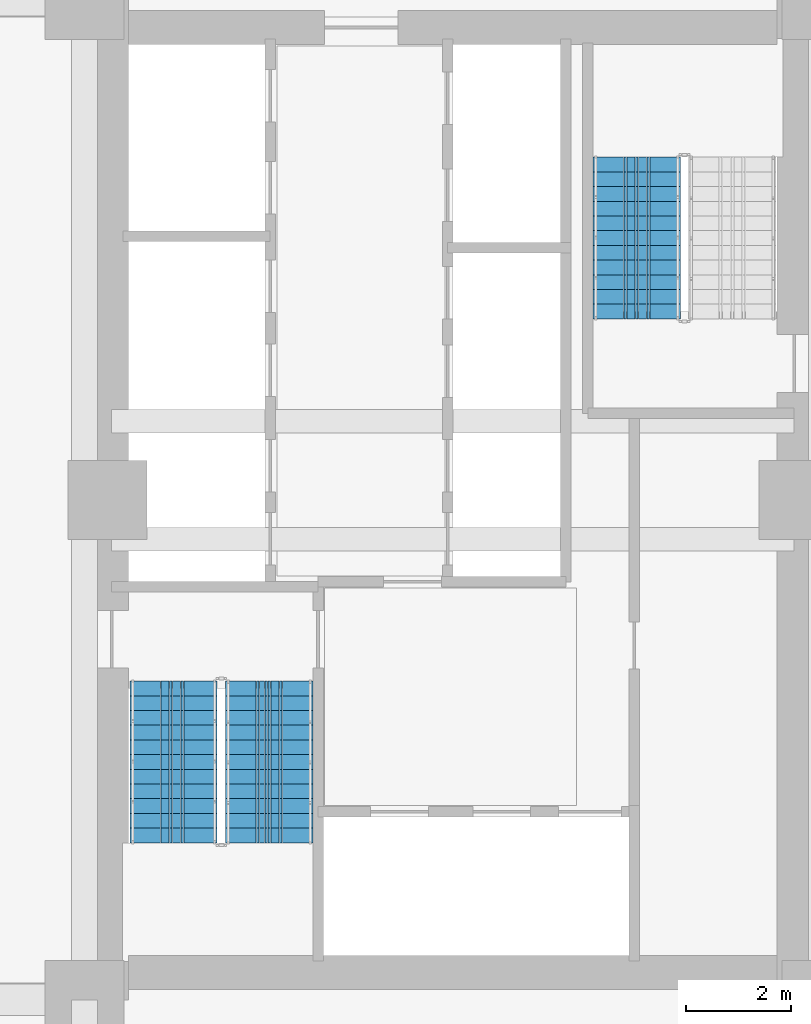
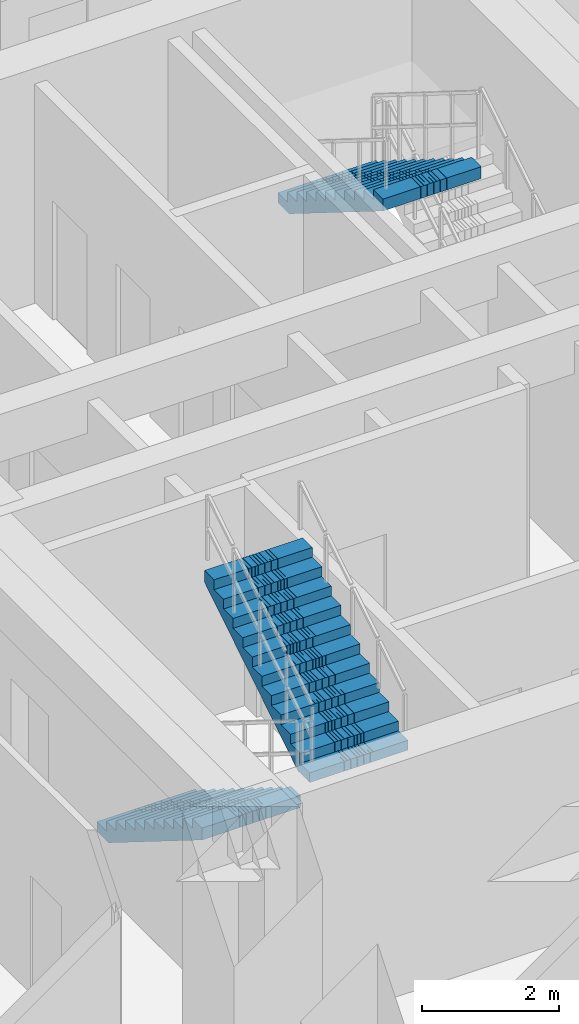
# One storey, part 17 of 24: 3 stair flights, 2 elements without a shape of their own.
"""IFC4 building model written with IfcOpenShell, lengths in metres."""

from ifc_helpers import new_model, si_unit, direction, frame, origin, place, context, subcontext, project, spatial, polyline, outline, extrude, material, type_object, element, aggregate, save


model = new_model("IFC4")

# Units and contexts
model_context = context("Model", 3, precision=1e-05, world=origin(), true_north=direction((0.0, 1.0)))
body_context = subcontext(model_context, "Body", "Model", "MODEL_VIEW")
ifc_project = project(units=[si_unit("LENGTHUNIT", "METRE"), si_unit("AREAUNIT", "SQUARE_METRE"), si_unit("VOLUMEUNIT", "CUBIC_METRE"), si_unit("PLANEANGLEUNIT", "RADIAN"), si_unit("MASSUNIT", "GRAM", prefix="KILO")], contexts=[model_context])

# Site, building, storey
site_placement = place(None, origin())
site = spatial("IfcSite", under=ifc_project, at=site_placement, CompositionType="ELEMENT")
building_placement = place(site_placement, origin())
building = spatial("IfcBuilding", under=site, at=building_placement, Name="Saelheon Loggia Tower", CompositionType="ELEMENT")
storey_placement = place(building_placement, origin())
storey = spatial("IfcBuildingStorey", under=building, at=storey_placement, Name="L00", CompositionType="ELEMENT", Elevation=0.0)

# Stair, stair flights
ifc_material = material(Name="Concrete C40/50", Category="concrete")
stair_type = type_object("IfcStairType", Name="Stair_Escape_Core", PredefinedType="HALF_TURN_STAIR", material=ifc_material)
stair_1_placement = place(storey_placement, origin())
stair_1 = element("IfcStair", 1, at=stair_1_placement, inside=storey, type_object=stair_type, Name="L00 Special Escape Stair ST1", PredefinedType="HALF_TURN_STAIR")
stair_flight_type = type_object("IfcStairFlightType", Name="StairFlight_Tower_1660", PredefinedType="STRAIGHT", material=ifc_material)
stair_flight_1_placement = place(storey_placement, frame((32.679931640625, 23.550048828125, 0.0), z_axis=(0.0, 0.0, 1.0), x_axis=(0.0, -1.0, 0.0)))
stair_flight_1 = element("IfcStairFlight", 2, at=stair_flight_1_placement, type_object=stair_flight_type, Name="ST1 flight 1", NumberOfRisers=12, NumberOfTreads=11, PredefinedType="STRAIGHT", RiserHeight=0.175, TreadLength=0.28, context=body_context, shape_type="SweptSolid", body=[
    extrude(outline(polyline([(0.0, 0.0), (0.0, 0.175048828125), (0.280029296875, 0.175048828125), (0.280029296875, 0.35009765625), (0.56005859375, 0.35009765625), (0.56005859375, 0.52490234375), (0.840087890625, 0.52490234375), (0.840087890625, 0.699951171875), (1.1201171875, 0.699951171875), (1.1201171875, 0.875), (1.39990234375, 0.875), (1.39990234375, 1.050048828125), (1.679931640625, 1.050048828125), (1.679931640625, 1.22509765625), (1.9599609375, 1.22509765625), (1.9599609375, 1.39990234375), (2.239990234375, 1.39990234375), (2.239990234375, 1.574951171875), (2.52001953125, 1.574951171875), (2.52001953125, 1.75), (2.800048828125, 1.75), (2.800048828125, 1.925048828125), (3.080078125, 1.925048828125), (3.080078125, 2.10009765625), (3.080078125, 1.712890625), (0.339599609375, 0.0), (0.0, 0.0)])), frame((0.0, -0.2490234375, 0.0), z_axis=(0.0, -1.0, 0.0), x_axis=(1.0, 0.0, 0.0)), (0.0, 0.0, 1.0), 0.5810546875),
    extrude(outline(polyline([(0.0, 0.0), (0.0, 0.175048828125), (0.280029296875, 0.175048828125), (0.280029296875, 0.35009765625), (0.56005859375, 0.35009765625), (0.56005859375, 0.52490234375), (0.840087890625, 0.52490234375), (0.840087890625, 0.699951171875), (1.1201171875, 0.699951171875), (1.1201171875, 0.875), (1.39990234375, 0.875), (1.39990234375, 1.050048828125), (1.679931640625, 1.050048828125), (1.679931640625, 1.22509765625), (1.9599609375, 1.22509765625), (1.9599609375, 1.39990234375), (2.239990234375, 1.39990234375), (2.239990234375, 1.574951171875), (2.52001953125, 1.574951171875), (2.52001953125, 1.75), (2.800048828125, 1.75), (2.800048828125, 1.925048828125), (3.080078125, 1.925048828125), (3.080078125, 2.10009765625), (3.080078125, 1.712890625), (0.339599609375, 0.0), (0.0, 0.0)])), frame((0.0, -0.194091796875, 0.0), z_axis=(0.0, -1.0, 0.0), x_axis=(1.0, 0.0, 0.0)), (0.0, 0.0, 1.0), 0.0498046875),
    extrude(outline(polyline([(0.0, 0.0), (0.0, 0.175048828125), (0.280029296875, 0.175048828125), (0.280029296875, 0.35009765625), (0.56005859375, 0.35009765625), (0.56005859375, 0.52490234375), (0.840087890625, 0.52490234375), (0.840087890625, 0.699951171875), (1.1201171875, 0.699951171875), (1.1201171875, 0.875), (1.39990234375, 0.875), (1.39990234375, 1.050048828125), (1.679931640625, 1.050048828125), (1.679931640625, 1.22509765625), (1.9599609375, 1.22509765625), (1.9599609375, 1.39990234375), (2.239990234375, 1.39990234375), (2.239990234375, 1.574951171875), (2.52001953125, 1.574951171875), (2.52001953125, 1.75), (2.800048828125, 1.75), (2.800048828125, 1.925048828125), (3.080078125, 1.925048828125), (3.080078125, 2.10009765625), (3.080078125, 1.712890625), (0.339599609375, 0.0), (0.0, 0.0)])), frame((0.0, -0.139404296875, 0.0), z_axis=(0.0, -1.0, 0.0), x_axis=(1.0, 0.0, 0.0)), (0.0, 0.0, 1.0), 0.0498046875),
    extrude(outline(polyline([(0.0, 0.0), (0.0, 0.175048828125), (0.280029296875, 0.175048828125), (0.280029296875, 0.35009765625), (0.56005859375, 0.35009765625), (0.56005859375, 0.52490234375), (0.840087890625, 0.52490234375), (0.840087890625, 0.699951171875), (1.1201171875, 0.699951171875), (1.1201171875, 0.875), (1.39990234375, 0.875), (1.39990234375, 1.050048828125), (1.679931640625, 1.050048828125), (1.679931640625, 1.22509765625), (1.9599609375, 1.22509765625), (1.9599609375, 1.39990234375), (2.239990234375, 1.39990234375), (2.239990234375, 1.574951171875), (2.52001953125, 1.574951171875), (2.52001953125, 1.75), (2.800048828125, 1.75), (2.800048828125, 1.925048828125), (3.080078125, 1.925048828125), (3.080078125, 2.10009765625), (3.080078125, 1.712890625), (0.339599609375, 0.0), (0.0, 0.0)])), frame((0.0, -0.084716796875, 0.0), z_axis=(0.0, -1.0, 0.0), x_axis=(1.0, 0.0, 0.0)), (0.0, 0.0, 1.0), 0.0498046875),
    extrude(outline(polyline([(0.0, 0.0), (0.0, 0.175048828125), (0.280029296875, 0.175048828125), (0.280029296875, 0.35009765625), (0.56005859375, 0.35009765625), (0.56005859375, 0.52490234375), (0.840087890625, 0.52490234375), (0.840087890625, 0.699951171875), (1.1201171875, 0.699951171875), (1.1201171875, 0.875), (1.39990234375, 0.875), (1.39990234375, 1.050048828125), (1.679931640625, 1.050048828125), (1.679931640625, 1.22509765625), (1.9599609375, 1.22509765625), (1.9599609375, 1.39990234375), (2.239990234375, 1.39990234375), (2.239990234375, 1.574951171875), (2.52001953125, 1.574951171875), (2.52001953125, 1.75), (2.800048828125, 1.75), (2.800048828125, 1.925048828125), (3.080078125, 1.925048828125), (3.080078125, 2.10009765625), (3.080078125, 1.712890625), (0.339599609375, 0.0), (0.0, 0.0)])), frame((0.0, -0.02978515625, 0.0), z_axis=(0.0, -1.0, 0.0), x_axis=(1.0, 0.0, 0.0)), (0.0, 0.0, 1.0), 0.0498046875),
    extrude(outline(polyline([(0.0, 0.0), (0.0, 0.175048828125), (0.280029296875, 0.175048828125), (0.280029296875, 0.35009765625), (0.56005859375, 0.35009765625), (0.56005859375, 0.52490234375), (0.840087890625, 0.52490234375), (0.840087890625, 0.699951171875), (1.1201171875, 0.699951171875), (1.1201171875, 0.875), (1.39990234375, 0.875), (1.39990234375, 1.050048828125), (1.679931640625, 1.050048828125), (1.679931640625, 1.22509765625), (1.9599609375, 1.22509765625), (1.9599609375, 1.39990234375), (2.239990234375, 1.39990234375), (2.239990234375, 1.574951171875), (2.52001953125, 1.574951171875), (2.52001953125, 1.75), (2.800048828125, 1.75), (2.800048828125, 1.925048828125), (3.080078125, 1.925048828125), (3.080078125, 2.10009765625), (3.080078125, 1.712890625), (0.339599609375, 0.0), (0.0, 0.0)])), frame((0.0, 0.02490234375, 0.0), z_axis=(0.0, -1.0, 0.0), x_axis=(1.0, 0.0, 0.0)), (0.0, 0.0, 1.0), 0.0498046875),
    extrude(outline(polyline([(0.0, 0.0), (0.0, 0.175048828125), (0.280029296875, 0.175048828125), (0.280029296875, 0.35009765625), (0.56005859375, 0.35009765625), (0.56005859375, 0.52490234375), (0.840087890625, 0.52490234375), (0.840087890625, 0.699951171875), (1.1201171875, 0.699951171875), (1.1201171875, 0.875), (1.39990234375, 0.875), (1.39990234375, 1.050048828125), (1.679931640625, 1.050048828125), (1.679931640625, 1.22509765625), (1.9599609375, 1.22509765625), (1.9599609375, 1.39990234375), (2.239990234375, 1.39990234375), (2.239990234375, 1.574951171875), (2.52001953125, 1.574951171875), (2.52001953125, 1.75), (2.800048828125, 1.75), (2.800048828125, 1.925048828125), (3.080078125, 1.925048828125), (3.080078125, 2.10009765625), (3.080078125, 1.712890625), (0.339599609375, 0.0), (0.0, 0.0)])), frame((0.0, 0.07958984375, 0.0), z_axis=(0.0, -1.0, 0.0), x_axis=(1.0, 0.0, 0.0)), (0.0, 0.0, 1.0), 0.0498046875),
    extrude(outline(polyline([(0.0, 0.0), (0.0, 0.175048828125), (0.280029296875, 0.175048828125), (0.280029296875, 0.35009765625), (0.56005859375, 0.35009765625), (0.56005859375, 0.52490234375), (0.840087890625, 0.52490234375), (0.840087890625, 0.699951171875), (1.1201171875, 0.699951171875), (1.1201171875, 0.875), (1.39990234375, 0.875), (1.39990234375, 1.050048828125), (1.679931640625, 1.050048828125), (1.679931640625, 1.22509765625), (1.9599609375, 1.22509765625), (1.9599609375, 1.39990234375), (2.239990234375, 1.39990234375), (2.239990234375, 1.574951171875), (2.52001953125, 1.574951171875), (2.52001953125, 1.75), (2.800048828125, 1.75), (2.800048828125, 1.925048828125), (3.080078125, 1.925048828125), (3.080078125, 2.10009765625), (3.080078125, 1.712890625), (0.339599609375, 0.0), (0.0, 0.0)])), frame((0.0, 0.134521484375, 0.0), z_axis=(0.0, -1.0, 0.0), x_axis=(1.0, 0.0, 0.0)), (0.0, 0.0, 1.0), 0.0498046875),
    extrude(outline(polyline([(0.0, 0.0), (0.0, 0.175048828125), (0.280029296875, 0.175048828125), (0.280029296875, 0.35009765625), (0.56005859375, 0.35009765625), (0.56005859375, 0.52490234375), (0.840087890625, 0.52490234375), (0.840087890625, 0.699951171875), (1.1201171875, 0.699951171875), (1.1201171875, 0.875), (1.39990234375, 0.875), (1.39990234375, 1.050048828125), (1.679931640625, 1.050048828125), (1.679931640625, 1.22509765625), (1.9599609375, 1.22509765625), (1.9599609375, 1.39990234375), (2.239990234375, 1.39990234375), (2.239990234375, 1.574951171875), (2.52001953125, 1.574951171875), (2.52001953125, 1.75), (2.800048828125, 1.75), (2.800048828125, 1.925048828125), (3.080078125, 1.925048828125), (3.080078125, 2.10009765625), (3.080078125, 1.712890625), (0.339599609375, 0.0), (0.0, 0.0)])), frame((0.0, 0.189208984375, 0.0), z_axis=(0.0, -1.0, 0.0), x_axis=(1.0, 0.0, 0.0)), (0.0, 0.0, 1.0), 0.0498046875),
    extrude(outline(polyline([(0.0, 0.0), (0.0, 0.175048828125), (0.280029296875, 0.175048828125), (0.280029296875, 0.35009765625), (0.56005859375, 0.35009765625), (0.56005859375, 0.52490234375), (0.840087890625, 0.52490234375), (0.840087890625, 0.699951171875), (1.1201171875, 0.699951171875), (1.1201171875, 0.875), (1.39990234375, 0.875), (1.39990234375, 1.050048828125), (1.679931640625, 1.050048828125), (1.679931640625, 1.22509765625), (1.9599609375, 1.22509765625), (1.9599609375, 1.39990234375), (2.239990234375, 1.39990234375), (2.239990234375, 1.574951171875), (2.52001953125, 1.574951171875), (2.52001953125, 1.75), (2.800048828125, 1.75), (2.800048828125, 1.925048828125), (3.080078125, 1.925048828125), (3.080078125, 2.10009765625), (3.080078125, 1.712890625), (0.339599609375, 0.0), (0.0, 0.0)])), frame((0.0, 0.243896484375, 0.0), z_axis=(0.0, -1.0, 0.0), x_axis=(1.0, 0.0, 0.0)), (0.0, 0.0, 1.0), 0.0498046875),
    extrude(outline(polyline([(0.0, 0.0), (0.0, 0.175048828125), (0.280029296875, 0.175048828125), (0.280029296875, 0.35009765625), (0.56005859375, 0.35009765625), (0.56005859375, 0.52490234375), (0.840087890625, 0.52490234375), (0.840087890625, 0.699951171875), (1.1201171875, 0.699951171875), (1.1201171875, 0.875), (1.39990234375, 0.875), (1.39990234375, 1.050048828125), (1.679931640625, 1.050048828125), (1.679931640625, 1.22509765625), (1.9599609375, 1.22509765625), (1.9599609375, 1.39990234375), (2.239990234375, 1.39990234375), (2.239990234375, 1.574951171875), (2.52001953125, 1.574951171875), (2.52001953125, 1.75), (2.800048828125, 1.75), (2.800048828125, 1.925048828125), (3.080078125, 1.925048828125), (3.080078125, 2.10009765625), (3.080078125, 1.712890625), (0.339599609375, 0.0), (0.0, 0.0)])), frame((0.0, 0.830078125, 0.0), z_axis=(0.0, -1.0, 0.0), x_axis=(1.0, 0.0, 0.0)), (0.0, 0.0, 1.0), 0.5810546875),
])
stair_flight_2_placement = place(storey_placement, frame((34.5, 20.469970703125, 2.10009765625), z_axis=(0.0, 0.0, 1.0), x_axis=(0.0, 1.0, 0.0)))
stair_flight_2 = element("IfcStairFlight", 3, at=stair_flight_2_placement, type_object=stair_flight_type, Name="ST1 flight 2", NumberOfRisers=12, NumberOfTreads=11, PredefinedType="STRAIGHT", RiserHeight=0.175, TreadLength=0.28, context=body_context, shape_type="SweptSolid", body=[
    extrude(outline(polyline([(0.0, 0.0), (0.0, 0.175048828125), (0.280029296875, 0.175048828125), (0.280029296875, 0.35009765625), (0.56005859375, 0.35009765625), (0.56005859375, 0.52490234375), (0.840087890625, 0.52490234375), (0.840087890625, 0.699951171875), (1.1201171875, 0.699951171875), (1.1201171875, 0.875), (1.39990234375, 0.875), (1.39990234375, 1.050048828125), (1.679931640625, 1.050048828125), (1.679931640625, 1.22509765625), (1.9599609375, 1.22509765625), (1.9599609375, 1.39990234375), (2.239990234375, 1.39990234375), (2.239990234375, 1.574951171875), (2.52001953125, 1.574951171875), (2.52001953125, 1.75), (2.800048828125, 1.75), (2.800048828125, 1.925048828125), (3.080078125, 1.925048828125), (3.080078125, 2.10009765625), (3.080078125, 1.712890625), (0.339599609375, 0.0), (0.0, 0.0)])), frame((0.0, -0.2490234375, 0.0), z_axis=(0.0, -1.0, 0.0), x_axis=(1.0, 0.0, 0.0)), (0.0, 0.0, 1.0), 0.5810546875),
    extrude(outline(polyline([(0.0, 0.0), (0.0, 0.175048828125), (0.280029296875, 0.175048828125), (0.280029296875, 0.35009765625), (0.56005859375, 0.35009765625), (0.56005859375, 0.52490234375), (0.840087890625, 0.52490234375), (0.840087890625, 0.699951171875), (1.1201171875, 0.699951171875), (1.1201171875, 0.875), (1.39990234375, 0.875), (1.39990234375, 1.050048828125), (1.679931640625, 1.050048828125), (1.679931640625, 1.22509765625), (1.9599609375, 1.22509765625), (1.9599609375, 1.39990234375), (2.239990234375, 1.39990234375), (2.239990234375, 1.574951171875), (2.52001953125, 1.574951171875), (2.52001953125, 1.75), (2.800048828125, 1.75), (2.800048828125, 1.925048828125), (3.080078125, 1.925048828125), (3.080078125, 2.10009765625), (3.080078125, 1.712890625), (0.339599609375, 0.0), (0.0, 0.0)])), frame((0.0, -0.194091796875, 0.0), z_axis=(0.0, -1.0, 0.0), x_axis=(1.0, 0.0, 0.0)), (0.0, 0.0, 1.0), 0.0498046875),
    extrude(outline(polyline([(0.0, 0.0), (0.0, 0.175048828125), (0.280029296875, 0.175048828125), (0.280029296875, 0.35009765625), (0.56005859375, 0.35009765625), (0.56005859375, 0.52490234375), (0.840087890625, 0.52490234375), (0.840087890625, 0.699951171875), (1.1201171875, 0.699951171875), (1.1201171875, 0.875), (1.39990234375, 0.875), (1.39990234375, 1.050048828125), (1.679931640625, 1.050048828125), (1.679931640625, 1.22509765625), (1.9599609375, 1.22509765625), (1.9599609375, 1.39990234375), (2.239990234375, 1.39990234375), (2.239990234375, 1.574951171875), (2.52001953125, 1.574951171875), (2.52001953125, 1.75), (2.800048828125, 1.75), (2.800048828125, 1.925048828125), (3.080078125, 1.925048828125), (3.080078125, 2.10009765625), (3.080078125, 1.712890625), (0.339599609375, 0.0), (0.0, 0.0)])), frame((0.0, -0.139404296875, 0.0), z_axis=(0.0, -1.0, 0.0), x_axis=(1.0, 0.0, 0.0)), (0.0, 0.0, 1.0), 0.0498046875),
    extrude(outline(polyline([(0.0, 0.0), (0.0, 0.175048828125), (0.280029296875, 0.175048828125), (0.280029296875, 0.35009765625), (0.56005859375, 0.35009765625), (0.56005859375, 0.52490234375), (0.840087890625, 0.52490234375), (0.840087890625, 0.699951171875), (1.1201171875, 0.699951171875), (1.1201171875, 0.875), (1.39990234375, 0.875), (1.39990234375, 1.050048828125), (1.679931640625, 1.050048828125), (1.679931640625, 1.22509765625), (1.9599609375, 1.22509765625), (1.9599609375, 1.39990234375), (2.239990234375, 1.39990234375), (2.239990234375, 1.574951171875), (2.52001953125, 1.574951171875), (2.52001953125, 1.75), (2.800048828125, 1.75), (2.800048828125, 1.925048828125), (3.080078125, 1.925048828125), (3.080078125, 2.10009765625), (3.080078125, 1.712890625), (0.339599609375, 0.0), (0.0, 0.0)])), frame((0.0, -0.084716796875, 0.0), z_axis=(0.0, -1.0, 0.0), x_axis=(1.0, 0.0, 0.0)), (0.0, 0.0, 1.0), 0.0498046875),
    extrude(outline(polyline([(0.0, 0.0), (0.0, 0.175048828125), (0.280029296875, 0.175048828125), (0.280029296875, 0.35009765625), (0.56005859375, 0.35009765625), (0.56005859375, 0.52490234375), (0.840087890625, 0.52490234375), (0.840087890625, 0.699951171875), (1.1201171875, 0.699951171875), (1.1201171875, 0.875), (1.39990234375, 0.875), (1.39990234375, 1.050048828125), (1.679931640625, 1.050048828125), (1.679931640625, 1.22509765625), (1.9599609375, 1.22509765625), (1.9599609375, 1.39990234375), (2.239990234375, 1.39990234375), (2.239990234375, 1.574951171875), (2.52001953125, 1.574951171875), (2.52001953125, 1.75), (2.800048828125, 1.75), (2.800048828125, 1.925048828125), (3.080078125, 1.925048828125), (3.080078125, 2.10009765625), (3.080078125, 1.712890625), (0.339599609375, 0.0), (0.0, 0.0)])), frame((0.0, -0.02978515625, 0.0), z_axis=(0.0, -1.0, 0.0), x_axis=(1.0, 0.0, 0.0)), (0.0, 0.0, 1.0), 0.0498046875),
    extrude(outline(polyline([(0.0, 0.0), (0.0, 0.175048828125), (0.280029296875, 0.175048828125), (0.280029296875, 0.35009765625), (0.56005859375, 0.35009765625), (0.56005859375, 0.52490234375), (0.840087890625, 0.52490234375), (0.840087890625, 0.699951171875), (1.1201171875, 0.699951171875), (1.1201171875, 0.875), (1.39990234375, 0.875), (1.39990234375, 1.050048828125), (1.679931640625, 1.050048828125), (1.679931640625, 1.22509765625), (1.9599609375, 1.22509765625), (1.9599609375, 1.39990234375), (2.239990234375, 1.39990234375), (2.239990234375, 1.574951171875), (2.52001953125, 1.574951171875), (2.52001953125, 1.75), (2.800048828125, 1.75), (2.800048828125, 1.925048828125), (3.080078125, 1.925048828125), (3.080078125, 2.10009765625), (3.080078125, 1.712890625), (0.339599609375, 0.0), (0.0, 0.0)])), frame((0.0, 0.02490234375, 0.0), z_axis=(0.0, -1.0, 0.0), x_axis=(1.0, 0.0, 0.0)), (0.0, 0.0, 1.0), 0.0498046875),
    extrude(outline(polyline([(0.0, 0.0), (0.0, 0.175048828125), (0.280029296875, 0.175048828125), (0.280029296875, 0.35009765625), (0.56005859375, 0.35009765625), (0.56005859375, 0.52490234375), (0.840087890625, 0.52490234375), (0.840087890625, 0.699951171875), (1.1201171875, 0.699951171875), (1.1201171875, 0.875), (1.39990234375, 0.875), (1.39990234375, 1.050048828125), (1.679931640625, 1.050048828125), (1.679931640625, 1.22509765625), (1.9599609375, 1.22509765625), (1.9599609375, 1.39990234375), (2.239990234375, 1.39990234375), (2.239990234375, 1.574951171875), (2.52001953125, 1.574951171875), (2.52001953125, 1.75), (2.800048828125, 1.75), (2.800048828125, 1.925048828125), (3.080078125, 1.925048828125), (3.080078125, 2.10009765625), (3.080078125, 1.712890625), (0.339599609375, 0.0), (0.0, 0.0)])), frame((0.0, 0.07958984375, 0.0), z_axis=(0.0, -1.0, 0.0), x_axis=(1.0, 0.0, 0.0)), (0.0, 0.0, 1.0), 0.0498046875),
    extrude(outline(polyline([(0.0, 0.0), (0.0, 0.175048828125), (0.280029296875, 0.175048828125), (0.280029296875, 0.35009765625), (0.56005859375, 0.35009765625), (0.56005859375, 0.52490234375), (0.840087890625, 0.52490234375), (0.840087890625, 0.699951171875), (1.1201171875, 0.699951171875), (1.1201171875, 0.875), (1.39990234375, 0.875), (1.39990234375, 1.050048828125), (1.679931640625, 1.050048828125), (1.679931640625, 1.22509765625), (1.9599609375, 1.22509765625), (1.9599609375, 1.39990234375), (2.239990234375, 1.39990234375), (2.239990234375, 1.574951171875), (2.52001953125, 1.574951171875), (2.52001953125, 1.75), (2.800048828125, 1.75), (2.800048828125, 1.925048828125), (3.080078125, 1.925048828125), (3.080078125, 2.10009765625), (3.080078125, 1.712890625), (0.339599609375, 0.0), (0.0, 0.0)])), frame((0.0, 0.134521484375, 0.0), z_axis=(0.0, -1.0, 0.0), x_axis=(1.0, 0.0, 0.0)), (0.0, 0.0, 1.0), 0.0498046875),
    extrude(outline(polyline([(0.0, 0.0), (0.0, 0.175048828125), (0.280029296875, 0.175048828125), (0.280029296875, 0.35009765625), (0.56005859375, 0.35009765625), (0.56005859375, 0.52490234375), (0.840087890625, 0.52490234375), (0.840087890625, 0.699951171875), (1.1201171875, 0.699951171875), (1.1201171875, 0.875), (1.39990234375, 0.875), (1.39990234375, 1.050048828125), (1.679931640625, 1.050048828125), (1.679931640625, 1.22509765625), (1.9599609375, 1.22509765625), (1.9599609375, 1.39990234375), (2.239990234375, 1.39990234375), (2.239990234375, 1.574951171875), (2.52001953125, 1.574951171875), (2.52001953125, 1.75), (2.800048828125, 1.75), (2.800048828125, 1.925048828125), (3.080078125, 1.925048828125), (3.080078125, 2.10009765625), (3.080078125, 1.712890625), (0.339599609375, 0.0), (0.0, 0.0)])), frame((0.0, 0.189208984375, 0.0), z_axis=(0.0, -1.0, 0.0), x_axis=(1.0, 0.0, 0.0)), (0.0, 0.0, 1.0), 0.0498046875),
    extrude(outline(polyline([(0.0, 0.0), (0.0, 0.175048828125), (0.280029296875, 0.175048828125), (0.280029296875, 0.35009765625), (0.56005859375, 0.35009765625), (0.56005859375, 0.52490234375), (0.840087890625, 0.52490234375), (0.840087890625, 0.699951171875), (1.1201171875, 0.699951171875), (1.1201171875, 0.875), (1.39990234375, 0.875), (1.39990234375, 1.050048828125), (1.679931640625, 1.050048828125), (1.679931640625, 1.22509765625), (1.9599609375, 1.22509765625), (1.9599609375, 1.39990234375), (2.239990234375, 1.39990234375), (2.239990234375, 1.574951171875), (2.52001953125, 1.574951171875), (2.52001953125, 1.75), (2.800048828125, 1.75), (2.800048828125, 1.925048828125), (3.080078125, 1.925048828125), (3.080078125, 2.10009765625), (3.080078125, 1.712890625), (0.339599609375, 0.0), (0.0, 0.0)])), frame((0.0, 0.243896484375, 0.0), z_axis=(0.0, -1.0, 0.0), x_axis=(1.0, 0.0, 0.0)), (0.0, 0.0, 1.0), 0.0498046875),
    extrude(outline(polyline([(0.0, 0.0), (0.0, 0.175048828125), (0.280029296875, 0.175048828125), (0.280029296875, 0.35009765625), (0.56005859375, 0.35009765625), (0.56005859375, 0.52490234375), (0.840087890625, 0.52490234375), (0.840087890625, 0.699951171875), (1.1201171875, 0.699951171875), (1.1201171875, 0.875), (1.39990234375, 0.875), (1.39990234375, 1.050048828125), (1.679931640625, 1.050048828125), (1.679931640625, 1.22509765625), (1.9599609375, 1.22509765625), (1.9599609375, 1.39990234375), (2.239990234375, 1.39990234375), (2.239990234375, 1.574951171875), (2.52001953125, 1.574951171875), (2.52001953125, 1.75), (2.800048828125, 1.75), (2.800048828125, 1.925048828125), (3.080078125, 1.925048828125), (3.080078125, 2.10009765625), (3.080078125, 1.712890625), (0.339599609375, 0.0), (0.0, 0.0)])), frame((0.0, 0.830078125, 0.0), z_axis=(0.0, -1.0, 0.0), x_axis=(1.0, 0.0, 0.0)), (0.0, 0.0, 1.0), 0.5810546875),
])
aggregate(stair_1, [stair_flight_1, stair_flight_2])

# Stair, stair flight
stair_2_placement = place(storey_placement, origin())
stair_2 = element("IfcStair", 4, at=stair_2_placement, inside=storey, type_object=stair_type, Name="L00 Special Escape Stair ST2", PredefinedType="HALF_TURN_STAIR")
stair_flight_3_placement = place(storey_placement, frame((41.5, 33.530029296875, 2.10009765625), z_axis=(0.0, 0.0, 1.0), x_axis=(0.0, -1.0, 0.0)))
stair_flight_3 = element("IfcStairFlight", 5, at=stair_flight_3_placement, type_object=stair_flight_type, Name="ST2 flight 2", NumberOfRisers=12, NumberOfTreads=11, PredefinedType="STRAIGHT", RiserHeight=0.175, TreadLength=0.28, context=body_context, shape_type="SweptSolid", body=[
    extrude(outline(polyline([(0.0, 0.0), (0.0, 0.175048828125), (0.280029296875, 0.175048828125), (0.280029296875, 0.35009765625), (0.56005859375, 0.35009765625), (0.56005859375, 0.52490234375), (0.840087890625, 0.52490234375), (0.840087890625, 0.699951171875), (1.1201171875, 0.699951171875), (1.1201171875, 0.875), (1.39990234375, 0.875), (1.39990234375, 1.050048828125), (1.679931640625, 1.050048828125), (1.679931640625, 1.22509765625), (1.9599609375, 1.22509765625), (1.9599609375, 1.39990234375), (2.239990234375, 1.39990234375), (2.239990234375, 1.574951171875), (2.52001953125, 1.574951171875), (2.52001953125, 1.75), (2.800048828125, 1.75), (2.800048828125, 1.925048828125), (3.080078125, 1.925048828125), (3.080078125, 2.10009765625), (3.080078125, 1.712890625), (0.339599609375, 0.0), (0.0, 0.0)])), frame((0.0, -0.2490234375, 0.0), z_axis=(0.0, -1.0, 0.0), x_axis=(1.0, 0.0, 0.0)), (0.0, 0.0, 1.0), 0.5810546875),
    extrude(outline(polyline([(0.0, 0.0), (0.0, 0.175048828125), (0.280029296875, 0.175048828125), (0.280029296875, 0.35009765625), (0.56005859375, 0.35009765625), (0.56005859375, 0.52490234375), (0.840087890625, 0.52490234375), (0.840087890625, 0.699951171875), (1.1201171875, 0.699951171875), (1.1201171875, 0.875), (1.39990234375, 0.875), (1.39990234375, 1.050048828125), (1.679931640625, 1.050048828125), (1.679931640625, 1.22509765625), (1.9599609375, 1.22509765625), (1.9599609375, 1.39990234375), (2.239990234375, 1.39990234375), (2.239990234375, 1.574951171875), (2.52001953125, 1.574951171875), (2.52001953125, 1.75), (2.800048828125, 1.75), (2.800048828125, 1.925048828125), (3.080078125, 1.925048828125), (3.080078125, 2.10009765625), (3.080078125, 1.712890625), (0.339599609375, 0.0), (0.0, 0.0)])), frame((0.0, -0.194091796875, 0.0), z_axis=(0.0, -1.0, 0.0), x_axis=(1.0, 0.0, 0.0)), (0.0, 0.0, 1.0), 0.0498046875),
    extrude(outline(polyline([(0.0, 0.0), (0.0, 0.175048828125), (0.280029296875, 0.175048828125), (0.280029296875, 0.35009765625), (0.56005859375, 0.35009765625), (0.56005859375, 0.52490234375), (0.840087890625, 0.52490234375), (0.840087890625, 0.699951171875), (1.1201171875, 0.699951171875), (1.1201171875, 0.875), (1.39990234375, 0.875), (1.39990234375, 1.050048828125), (1.679931640625, 1.050048828125), (1.679931640625, 1.22509765625), (1.9599609375, 1.22509765625), (1.9599609375, 1.39990234375), (2.239990234375, 1.39990234375), (2.239990234375, 1.574951171875), (2.52001953125, 1.574951171875), (2.52001953125, 1.75), (2.800048828125, 1.75), (2.800048828125, 1.925048828125), (3.080078125, 1.925048828125), (3.080078125, 2.10009765625), (3.080078125, 1.712890625), (0.339599609375, 0.0), (0.0, 0.0)])), frame((0.0, -0.139404296875, 0.0), z_axis=(0.0, -1.0, 0.0), x_axis=(1.0, 0.0, 0.0)), (0.0, 0.0, 1.0), 0.0498046875),
    extrude(outline(polyline([(0.0, 0.0), (0.0, 0.175048828125), (0.280029296875, 0.175048828125), (0.280029296875, 0.35009765625), (0.56005859375, 0.35009765625), (0.56005859375, 0.52490234375), (0.840087890625, 0.52490234375), (0.840087890625, 0.699951171875), (1.1201171875, 0.699951171875), (1.1201171875, 0.875), (1.39990234375, 0.875), (1.39990234375, 1.050048828125), (1.679931640625, 1.050048828125), (1.679931640625, 1.22509765625), (1.9599609375, 1.22509765625), (1.9599609375, 1.39990234375), (2.239990234375, 1.39990234375), (2.239990234375, 1.574951171875), (2.52001953125, 1.574951171875), (2.52001953125, 1.75), (2.800048828125, 1.75), (2.800048828125, 1.925048828125), (3.080078125, 1.925048828125), (3.080078125, 2.10009765625), (3.080078125, 1.712890625), (0.339599609375, 0.0), (0.0, 0.0)])), frame((0.0, -0.084716796875, 0.0), z_axis=(0.0, -1.0, 0.0), x_axis=(1.0, 0.0, 0.0)), (0.0, 0.0, 1.0), 0.0498046875),
    extrude(outline(polyline([(0.0, 0.0), (0.0, 0.175048828125), (0.280029296875, 0.175048828125), (0.280029296875, 0.35009765625), (0.56005859375, 0.35009765625), (0.56005859375, 0.52490234375), (0.840087890625, 0.52490234375), (0.840087890625, 0.699951171875), (1.1201171875, 0.699951171875), (1.1201171875, 0.875), (1.39990234375, 0.875), (1.39990234375, 1.050048828125), (1.679931640625, 1.050048828125), (1.679931640625, 1.22509765625), (1.9599609375, 1.22509765625), (1.9599609375, 1.39990234375), (2.239990234375, 1.39990234375), (2.239990234375, 1.574951171875), (2.52001953125, 1.574951171875), (2.52001953125, 1.75), (2.800048828125, 1.75), (2.800048828125, 1.925048828125), (3.080078125, 1.925048828125), (3.080078125, 2.10009765625), (3.080078125, 1.712890625), (0.339599609375, 0.0), (0.0, 0.0)])), frame((0.0, -0.02978515625, 0.0), z_axis=(0.0, -1.0, 0.0), x_axis=(1.0, 0.0, 0.0)), (0.0, 0.0, 1.0), 0.0498046875),
    extrude(outline(polyline([(0.0, 0.0), (0.0, 0.175048828125), (0.280029296875, 0.175048828125), (0.280029296875, 0.35009765625), (0.56005859375, 0.35009765625), (0.56005859375, 0.52490234375), (0.840087890625, 0.52490234375), (0.840087890625, 0.699951171875), (1.1201171875, 0.699951171875), (1.1201171875, 0.875), (1.39990234375, 0.875), (1.39990234375, 1.050048828125), (1.679931640625, 1.050048828125), (1.679931640625, 1.22509765625), (1.9599609375, 1.22509765625), (1.9599609375, 1.39990234375), (2.239990234375, 1.39990234375), (2.239990234375, 1.574951171875), (2.52001953125, 1.574951171875), (2.52001953125, 1.75), (2.800048828125, 1.75), (2.800048828125, 1.925048828125), (3.080078125, 1.925048828125), (3.080078125, 2.10009765625), (3.080078125, 1.712890625), (0.339599609375, 0.0), (0.0, 0.0)])), frame((0.0, 0.02490234375, 0.0), z_axis=(0.0, -1.0, 0.0), x_axis=(1.0, 0.0, 0.0)), (0.0, 0.0, 1.0), 0.0498046875),
    extrude(outline(polyline([(0.0, 0.0), (0.0, 0.175048828125), (0.280029296875, 0.175048828125), (0.280029296875, 0.35009765625), (0.56005859375, 0.35009765625), (0.56005859375, 0.52490234375), (0.840087890625, 0.52490234375), (0.840087890625, 0.699951171875), (1.1201171875, 0.699951171875), (1.1201171875, 0.875), (1.39990234375, 0.875), (1.39990234375, 1.050048828125), (1.679931640625, 1.050048828125), (1.679931640625, 1.22509765625), (1.9599609375, 1.22509765625), (1.9599609375, 1.39990234375), (2.239990234375, 1.39990234375), (2.239990234375, 1.574951171875), (2.52001953125, 1.574951171875), (2.52001953125, 1.75), (2.800048828125, 1.75), (2.800048828125, 1.925048828125), (3.080078125, 1.925048828125), (3.080078125, 2.10009765625), (3.080078125, 1.712890625), (0.339599609375, 0.0), (0.0, 0.0)])), frame((0.0, 0.07958984375, 0.0), z_axis=(0.0, -1.0, 0.0), x_axis=(1.0, 0.0, 0.0)), (0.0, 0.0, 1.0), 0.0498046875),
    extrude(outline(polyline([(0.0, 0.0), (0.0, 0.175048828125), (0.280029296875, 0.175048828125), (0.280029296875, 0.35009765625), (0.56005859375, 0.35009765625), (0.56005859375, 0.52490234375), (0.840087890625, 0.52490234375), (0.840087890625, 0.699951171875), (1.1201171875, 0.699951171875), (1.1201171875, 0.875), (1.39990234375, 0.875), (1.39990234375, 1.050048828125), (1.679931640625, 1.050048828125), (1.679931640625, 1.22509765625), (1.9599609375, 1.22509765625), (1.9599609375, 1.39990234375), (2.239990234375, 1.39990234375), (2.239990234375, 1.574951171875), (2.52001953125, 1.574951171875), (2.52001953125, 1.75), (2.800048828125, 1.75), (2.800048828125, 1.925048828125), (3.080078125, 1.925048828125), (3.080078125, 2.10009765625), (3.080078125, 1.712890625), (0.339599609375, 0.0), (0.0, 0.0)])), frame((0.0, 0.134521484375, 0.0), z_axis=(0.0, -1.0, 0.0), x_axis=(1.0, 0.0, 0.0)), (0.0, 0.0, 1.0), 0.0498046875),
    extrude(outline(polyline([(0.0, 0.0), (0.0, 0.175048828125), (0.280029296875, 0.175048828125), (0.280029296875, 0.35009765625), (0.56005859375, 0.35009765625), (0.56005859375, 0.52490234375), (0.840087890625, 0.52490234375), (0.840087890625, 0.699951171875), (1.1201171875, 0.699951171875), (1.1201171875, 0.875), (1.39990234375, 0.875), (1.39990234375, 1.050048828125), (1.679931640625, 1.050048828125), (1.679931640625, 1.22509765625), (1.9599609375, 1.22509765625), (1.9599609375, 1.39990234375), (2.239990234375, 1.39990234375), (2.239990234375, 1.574951171875), (2.52001953125, 1.574951171875), (2.52001953125, 1.75), (2.800048828125, 1.75), (2.800048828125, 1.925048828125), (3.080078125, 1.925048828125), (3.080078125, 2.10009765625), (3.080078125, 1.712890625), (0.339599609375, 0.0), (0.0, 0.0)])), frame((0.0, 0.189208984375, 0.0), z_axis=(0.0, -1.0, 0.0), x_axis=(1.0, 0.0, 0.0)), (0.0, 0.0, 1.0), 0.0498046875),
    extrude(outline(polyline([(0.0, 0.0), (0.0, 0.175048828125), (0.280029296875, 0.175048828125), (0.280029296875, 0.35009765625), (0.56005859375, 0.35009765625), (0.56005859375, 0.52490234375), (0.840087890625, 0.52490234375), (0.840087890625, 0.699951171875), (1.1201171875, 0.699951171875), (1.1201171875, 0.875), (1.39990234375, 0.875), (1.39990234375, 1.050048828125), (1.679931640625, 1.050048828125), (1.679931640625, 1.22509765625), (1.9599609375, 1.22509765625), (1.9599609375, 1.39990234375), (2.239990234375, 1.39990234375), (2.239990234375, 1.574951171875), (2.52001953125, 1.574951171875), (2.52001953125, 1.75), (2.800048828125, 1.75), (2.800048828125, 1.925048828125), (3.080078125, 1.925048828125), (3.080078125, 2.10009765625), (3.080078125, 1.712890625), (0.339599609375, 0.0), (0.0, 0.0)])), frame((0.0, 0.243896484375, 0.0), z_axis=(0.0, -1.0, 0.0), x_axis=(1.0, 0.0, 0.0)), (0.0, 0.0, 1.0), 0.0498046875),
    extrude(outline(polyline([(0.0, 0.0), (0.0, 0.175048828125), (0.280029296875, 0.175048828125), (0.280029296875, 0.35009765625), (0.56005859375, 0.35009765625), (0.56005859375, 0.52490234375), (0.840087890625, 0.52490234375), (0.840087890625, 0.699951171875), (1.1201171875, 0.699951171875), (1.1201171875, 0.875), (1.39990234375, 0.875), (1.39990234375, 1.050048828125), (1.679931640625, 1.050048828125), (1.679931640625, 1.22509765625), (1.9599609375, 1.22509765625), (1.9599609375, 1.39990234375), (2.239990234375, 1.39990234375), (2.239990234375, 1.574951171875), (2.52001953125, 1.574951171875), (2.52001953125, 1.75), (2.800048828125, 1.75), (2.800048828125, 1.925048828125), (3.080078125, 1.925048828125), (3.080078125, 2.10009765625), (3.080078125, 1.712890625), (0.339599609375, 0.0), (0.0, 0.0)])), frame((0.0, 0.830078125, 0.0), z_axis=(0.0, -1.0, 0.0), x_axis=(1.0, 0.0, 0.0)), (0.0, 0.0, 1.0), 0.5810546875),
])
aggregate(stair_2, [stair_flight_3])

save(model, "model.ifc")
